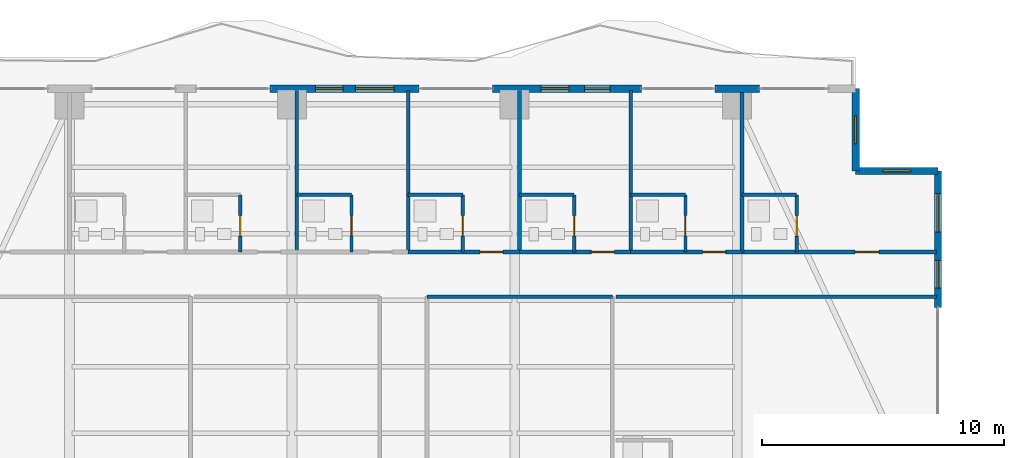
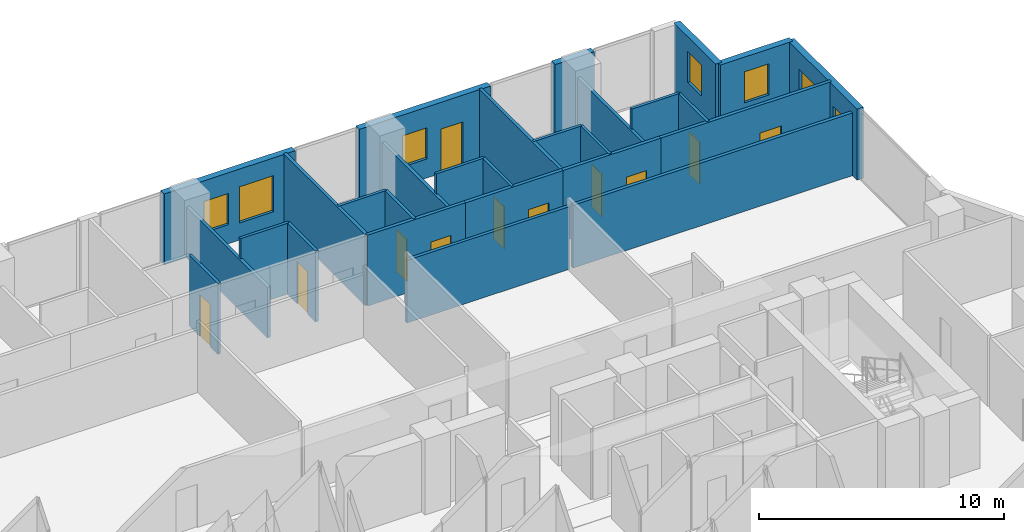
# One storey, part 28 of 33: 28 walls, 11 doors, 7 windows, 18 openings.
"""IFC4 building model written with IfcOpenShell, lengths in metres."""

from ifc_helpers import new_model, si_unit, direction, frame, frame_2d, origin, place, context, subcontext, project, spatial, rectangle, extrude, material, layer, layer_set, type_object, element, fill, save


model = new_model("IFC4")

# Units and contexts
model_context = context("Model", 3, precision=1e-05, world=origin(), true_north=direction((0.0, 1.0)))
body_context = subcontext(model_context, "Body", "Model", "MODEL_VIEW")
ifc_project = project(units=[si_unit("LENGTHUNIT", "METRE"), si_unit("AREAUNIT", "SQUARE_METRE"), si_unit("VOLUMEUNIT", "CUBIC_METRE"), si_unit("PLANEANGLEUNIT", "RADIAN"), si_unit("MASSUNIT", "GRAM", prefix="KILO")], contexts=[model_context])

# Site, building, storey
site_placement = place(None, origin())
site = spatial("IfcSite", under=ifc_project, at=site_placement, CompositionType="ELEMENT")
building_placement = place(site_placement, origin())
building = spatial("IfcBuilding", under=site, at=building_placement, Name="Zuhayl Quay Hotel", CompositionType="ELEMENT")
storey_placement = place(building_placement, frame((0.0, 0.0, 222.39990234375)))
storey = spatial("IfcBuildingStorey", under=building, at=storey_placement, Name="L56", CompositionType="ELEMENT", Elevation=222.39990234375)

# Wall, openings, windows
ifc_material_1 = material(Name="Precast concrete C45/55", Category="concrete")
ifc_layer_1 = layer(ifc_material_1, 0.300048828125, Name="Precast concrete C45/55", Category="concrete")
ifc_layer_set_1 = layer_set([ifc_layer_1], Name="Precast concrete C45/55")
wall_type_1 = type_object("IfcWallType", Name="WL_EXT_300", PredefinedType="STANDARD", material=ifc_layer_set_1)
wall_1_placement = place(storey_placement, frame((-5.52001953125, 33.60009765625, 0.0), z_axis=(0.0, 0.0, 1.0), x_axis=(1.0, 0.0, 0.0)))
wall_1 = element("IfcWall", 1, at=wall_1_placement, inside=storey, type_object=wall_type_1, Name="L56 Exterior Precast Wall ENV_L56_N_EW4", PredefinedType="STANDARD", context=body_context, shape_type="SweptSolid", body=[
    extrude(rectangle(XDim=6.169921875, YDim=0.300048828125, at=frame_2d((3.0849609375, 0.0))), origin(), (0.0, 0.0, 1.0), 3.530029296875),
])
opening_1_placement = place(wall_1_placement, frame((3.5400390625, 0.0, 0.85009765625)))
opening_1 = element("IfcOpeningElement", 2, at=opening_1_placement, cuts=wall_1, Name="Opening W01", PredefinedType="OPENING", context=body_context, shape_type="SweptSolid", body=[
    extrude(rectangle(XDim=1.60009765625, YDim=1.800048828125, at=frame_2d((0.800048828125, 0.89990234375))), frame((0.0, 0.159912109375, 0.0), z_axis=(0.0, -1.0, 0.0), x_axis=(1.0, 0.0, 0.0)), (0.0, 0.0, 1.0), 0.320068359375),
])
opening_2_placement = place(wall_1_placement, frame((1.8798828125, 0.0, 0.949951171875)))
opening_2 = element("IfcOpeningElement", 3, at=opening_2_placement, cuts=wall_1, Name="Opening W01N", PredefinedType="OPENING", context=body_context, shape_type="SweptSolid", body=[
    extrude(rectangle(XDim=1.14990234375, YDim=1.550048828125, at=frame_2d((0.574951171875, 0.77490234375))), frame((0.0, 0.159912109375, 0.0), z_axis=(0.0, -1.0, 0.0), x_axis=(1.0, 0.0, 0.0)), (0.0, 0.0, 1.0), 0.320068359375),
])
ifc_material_2 = material(Name="Dark Ceramic-Fritted Solar Glass", Category="glass")
window_type_1 = type_object("IfcWindowType", Name="WN_NOTCH_1350", PartitioningType="SINGLE_PANEL", PredefinedType="WINDOW", material=ifc_material_2)
window_1_placement = place(opening_2_placement, origin())
window_1 = element("IfcWindow", 4, at=window_1_placement, inside=storey, type_object=window_type_1, Name="L56 Operable Facade Window 4-1", OverallHeight=1.550048828125, OverallWidth=1.14990234375, PartitioningType="SINGLE_PANEL", PredefinedType="WINDOW", context=body_context, shape_type="SweptSolid", body=[
    extrude(rectangle(XDim=1.14990234375, YDim=1.550048828125, at=frame_2d((0.574951171875, 0.77490234375))), frame((0.0, 0.030029296875, 0.0), z_axis=(0.0, -1.0, 0.0), x_axis=(1.0, 0.0, 0.0)), (0.0, 0.0, 1.0), 0.06005859375),
])
fill(opening_2, window_1)
window_type_2 = type_object("IfcWindowType", Name="WN_OPERABLE_1600", PartitioningType="DOUBLE_PANEL_VERTICAL", PredefinedType="WINDOW", material=ifc_material_2)
window_2_placement = place(opening_1_placement, origin())
window_2 = element("IfcWindow", 5, at=window_2_placement, inside=storey, type_object=window_type_2, Name="L56 North Operable Casement Window", OverallHeight=1.800048828125, OverallWidth=1.60009765625, PartitioningType="SINGLE_PANEL", PredefinedType="WINDOW", context=body_context, shape_type="SweptSolid", body=[
    extrude(rectangle(XDim=1.60009765625, YDim=1.800048828125, at=frame_2d((0.800048828125, 0.89990234375))), frame((0.0, 0.030029296875, 0.0), z_axis=(0.0, -1.0, 0.0), x_axis=(1.0, 0.0, 0.0)), (0.0, 0.0, 1.0), 0.06005859375),
])
fill(opening_1, window_2)

# Wall, openings, door, window
wall_2_placement = place(storey_placement, frame((3.679931640625, 33.60009765625, 0.0), z_axis=(0.0, 0.0, 1.0), x_axis=(1.0, 0.0, 0.0)))
wall_2 = element("IfcWall", 6, at=wall_2_placement, inside=storey, type_object=wall_type_1, Name="L56 Exterior Precast Wall ENV_L56_N_EW5", PredefinedType="STANDARD", context=body_context, shape_type="SweptSolid", body=[
    extrude(rectangle(XDim=6.170166015625, YDim=0.300048828125, at=frame_2d((3.0849609375, 0.0))), origin(), (0.0, 0.0, 1.0), 3.530029296875),
])
opening_3_placement = place(wall_2_placement, frame((3.81494140625, 0.0, 0.0)))
opening_3 = element("IfcOpeningElement", 7, at=opening_3_placement, cuts=wall_2, Name="Opening DG1", PredefinedType="OPENING", context=body_context, shape_type="SweptSolid", body=[
    extrude(rectangle(XDim=1.050048828125, YDim=2.199951171875, at=frame_2d((0.52490234375, 1.10009765625))), frame((0.0, 0.159912109375, 0.0), z_axis=(0.0, -1.0, 0.0), x_axis=(1.0, 0.0, 0.0)), (0.0, 0.0, 1.0), 0.320068359375),
])
opening_4_placement = place(wall_2_placement, frame((2.017578125, 0.0, 0.949951171875)))
opening_4 = element("IfcOpeningElement", 8, at=opening_4_placement, cuts=wall_2, Name="Opening W01N", PredefinedType="OPENING", context=body_context, shape_type="SweptSolid", body=[
    extrude(rectangle(XDim=1.14990234375, YDim=1.550048828125, at=frame_2d((0.574951171875, 0.77490234375))), frame((0.0, 0.159912109375, 0.0), z_axis=(0.0, -1.0, 0.0), x_axis=(1.0, 0.0, 0.0)), (0.0, 0.0, 1.0), 0.320068359375),
])
ifc_material_3 = material(Name="Anodised Aluminium and Dark Solar Glass", Category="aluminium")
door_type_1 = type_object("IfcDoorType", Name="DR_EXT_TERR_1050", OperationType="NOTDEFINED", PredefinedType="DOOR", material=ifc_material_3)
door_1_placement = place(opening_3_placement, origin())
door_1 = element("IfcDoor", 9, at=door_1_placement, inside=storey, type_object=door_type_1, Name="L56 North Rippling Balcony Door", OperationType="SINGLE_SWING_LEFT", OverallHeight=2.199951171875, OverallWidth=1.050048828125, PredefinedType="DOOR", context=body_context, shape_type="SweptSolid", body=[
    extrude(rectangle(XDim=1.050048828125, YDim=2.199951171875, at=frame_2d((0.52490234375, 1.10009765625))), frame((0.0, 0.02490234375, 0.0), z_axis=(0.0, -1.0, 0.0), x_axis=(1.0, 0.0, 0.0)), (0.0, 0.0, 1.0), 0.050048828125),
])
fill(opening_3, door_1)
window_3_placement = place(opening_4_placement, origin())
window_3 = element("IfcWindow", 10, at=window_3_placement, inside=storey, type_object=window_type_1, Name="L56 Operable Facade Window 5-1", OverallHeight=1.550048828125, OverallWidth=1.14990234375, PartitioningType="SINGLE_PANEL", PredefinedType="WINDOW", context=body_context, shape_type="SweptSolid", body=[
    extrude(rectangle(XDim=1.14990234375, YDim=1.550048828125, at=frame_2d((0.574951171875, 0.77490234375))), frame((0.0, 0.030029296875, 0.0), z_axis=(0.0, -1.0, 0.0), x_axis=(1.0, 0.0, 0.0)), (0.0, 0.0, 1.0), 0.06005859375),
])
fill(opening_4, window_3)

# Wall
wall_3_placement = place(storey_placement, frame((12.8798828125, 33.60009765625, 0.0), z_axis=(0.0, 0.0, 1.0), x_axis=(1.0, 0.0, 0.0)))
element("IfcWall", 11, at=wall_3_placement, inside=storey, type_object=wall_type_1, Name="L56 Exterior Precast Wall ENV_L56_N_EW6", PredefinedType="STANDARD", context=body_context, shape_type="SweptSolid", body=[
    extrude(rectangle(XDim=1.840087890625, YDim=0.300048828125, at=frame_2d((0.919921875, 0.0))), origin(), (0.0, 0.0, 1.0), 3.530029296875),
])

# Wall, opening, window
wall_4_placement = place(storey_placement, frame((18.699951171875, 33.60009765625, 0.0), z_axis=(0.0, 0.0, 1.0), x_axis=(0.0, -1.0, 0.0)))
wall_4 = element("IfcWall", 12, at=wall_4_placement, inside=storey, type_object=wall_type_1, Name="L56 Exterior Precast Wall ENV_L56_EW09", PredefinedType="STANDARD", context=body_context, shape_type="SweptSolid", body=[
    extrude(rectangle(XDim=3.400146484375, YDim=0.300048828125, at=frame_2d((1.7001953125, 0.0))), origin(), (0.0, 0.0, 1.0), 3.530029296875),
])
opening_5_placement = place(wall_4_placement, frame((1.125, 0.0, 1.25)))
opening_5 = element("IfcOpeningElement", 13, at=opening_5_placement, cuts=wall_4, Name="Opening W01N", PredefinedType="OPENING", context=body_context, shape_type="SweptSolid", body=[
    extrude(rectangle(XDim=1.14990234375, YDim=1.550048828125, at=frame_2d((0.574951171875, 0.77490234375))), frame((0.0, 0.159912109375, 0.0), z_axis=(0.0, -1.0, 0.0), x_axis=(1.0, 0.0, 0.0)), (0.0, 0.0, 1.0), 0.320068359375),
])
window_4_placement = place(opening_5_placement, origin())
window_4 = element("IfcWindow", 14, at=window_4_placement, inside=storey, type_object=window_type_1, Name="L56 Corner Notch Window 9", OverallHeight=1.550048828125, OverallWidth=1.14990234375, PartitioningType="SINGLE_PANEL", PredefinedType="WINDOW", context=body_context, shape_type="SweptSolid", body=[
    extrude(rectangle(XDim=1.14990234375, YDim=1.550048828125, at=frame_2d((0.574951171875, 0.77490234375))), frame((0.0, 0.030029296875, 0.0), z_axis=(0.0, -1.0, 0.0), x_axis=(1.0, 0.0, 0.0)), (0.0, 0.0, 1.0), 0.06005859375),
])
fill(opening_5, window_4)

wall_5_placement = place(storey_placement, frame((18.699951171875, 30.199951171875, 0.0), z_axis=(0.0, 0.0, 1.0), x_axis=(1.0, 0.0, 0.0)))
wall_5 = element("IfcWall", 15, at=wall_5_placement, inside=storey, type_object=wall_type_1, Name="L56 Exterior Precast Wall ENV_L56_EW10", PredefinedType="STANDARD", context=body_context, shape_type="SweptSolid", body=[
    extrude(rectangle(XDim=3.400146484375, YDim=0.300048828125, at=frame_2d((1.7001953125, 0.0))), origin(), (0.0, 0.0, 1.0), 3.530029296875),
])
opening_6_placement = place(wall_5_placement, frame((1.125, 0.0, 1.25)))
opening_6 = element("IfcOpeningElement", 16, at=opening_6_placement, cuts=wall_5, Name="Opening W01N", PredefinedType="OPENING", context=body_context, shape_type="SweptSolid", body=[
    extrude(rectangle(XDim=1.14990234375, YDim=1.550048828125, at=frame_2d((0.574951171875, 0.77490234375))), frame((0.0, 0.159912109375, 0.0), z_axis=(0.0, -1.0, 0.0), x_axis=(1.0, 0.0, 0.0)), (0.0, 0.0, 1.0), 0.320068359375),
])
window_5_placement = place(opening_6_placement, origin())
window_5 = element("IfcWindow", 17, at=window_5_placement, inside=storey, type_object=window_type_1, Name="L56 Corner Notch Window 10", OverallHeight=1.550048828125, OverallWidth=1.14990234375, PartitioningType="SINGLE_PANEL", PredefinedType="WINDOW", context=body_context, shape_type="SweptSolid", body=[
    extrude(rectangle(XDim=1.14990234375, YDim=1.550048828125, at=frame_2d((0.574951171875, 0.77490234375))), frame((0.0, 0.030029296875, 0.0), z_axis=(0.0, -1.0, 0.0), x_axis=(1.0, 0.0, 0.0)), (0.0, 0.0, 1.0), 0.06005859375),
])
fill(opening_6, window_5)

# Wall, openings, windows
wall_6_placement = place(storey_placement, frame((22.10009765625, 30.199951171875, 0.0), z_axis=(0.0, 0.0, 1.0), x_axis=(0.0, -1.0, 0.0)))
wall_6 = element("IfcWall", 18, at=wall_6_placement, inside=storey, type_object=wall_type_1, Name="L56 Exterior Precast Wall ENV_L56_E11_EW1", PredefinedType="STANDARD", context=body_context, shape_type="SweptSolid", body=[
    extrude(rectangle(XDim=5.64990234375, YDim=0.300048828125, at=frame_2d((2.824951171875, 0.0))), origin(), (0.0, 0.0, 1.0), 3.530029296875),
])
opening_7_placement = place(wall_6_placement, frame((0.93505859375, 0.0, 0.85009765625)))
opening_7 = element("IfcOpeningElement", 19, at=opening_7_placement, cuts=wall_6, Name="Opening W01", PredefinedType="OPENING", context=body_context, shape_type="SweptSolid", body=[
    extrude(rectangle(XDim=1.60009765625, YDim=1.800048828125, at=frame_2d((0.800048828125, 0.89990234375))), frame((0.0, 0.159912109375, 0.0), z_axis=(0.0, -1.0, 0.0), x_axis=(1.0, 0.0, 0.0)), (0.0, 0.0, 1.0), 0.320068359375),
])
opening_8_placement = place(wall_6_placement, frame((3.699951171875, 0.0, 0.949951171875)))
opening_8 = element("IfcOpeningElement", 20, at=opening_8_placement, cuts=wall_6, Name="Opening W01N", PredefinedType="OPENING", context=body_context, shape_type="SweptSolid", body=[
    extrude(rectangle(XDim=1.14990234375, YDim=1.550048828125, at=frame_2d((0.574951171875, 0.77490234375))), frame((0.0, 0.159912109375, 0.0), z_axis=(0.0, -1.0, 0.0), x_axis=(1.0, 0.0, 0.0)), (0.0, 0.0, 1.0), 0.320068359375),
])
window_6_placement = place(opening_8_placement, origin())
window_6 = element("IfcWindow", 21, at=window_6_placement, inside=storey, type_object=window_type_1, Name="L56 Operable Facade Window 1-2", OverallHeight=1.550048828125, OverallWidth=1.14990234375, PartitioningType="SINGLE_PANEL", PredefinedType="WINDOW", context=body_context, shape_type="SweptSolid", body=[
    extrude(rectangle(XDim=1.14990234375, YDim=1.550048828125, at=frame_2d((0.574951171875, 0.77490234375))), frame((0.0, 0.030029296875, 0.0), z_axis=(0.0, -1.0, 0.0), x_axis=(1.0, 0.0, 0.0)), (0.0, 0.0, 1.0), 0.06005859375),
])
fill(opening_8, window_6)
window_7_placement = place(opening_7_placement, origin())
window_7 = element("IfcWindow", 22, at=window_7_placement, inside=storey, type_object=window_type_2, Name="L56 Operable Facade Window 1-1", OverallHeight=1.800048828125, OverallWidth=1.60009765625, PartitioningType="SINGLE_PANEL", PredefinedType="WINDOW", context=body_context, shape_type="SweptSolid", body=[
    extrude(rectangle(XDim=1.60009765625, YDim=1.800048828125, at=frame_2d((0.800048828125, 0.89990234375))), frame((0.0, 0.030029296875, 0.0), z_axis=(0.0, -1.0, 0.0), x_axis=(1.0, 0.0, 0.0)), (0.0, 0.0, 1.0), 0.06005859375),
])
fill(opening_7, window_7)

# Walls
ifc_material_4 = material(Name="Acoustic Gypsum Partition STC-58")
ifc_layer_2 = layer(ifc_material_4, 0.14990234375, Name="Acoustic Gypsum Partition STC-58")
ifc_layer_set_2 = layer_set([ifc_layer_2], Name="Acoustic Gypsum Partition STC-58")
wall_type_2 = type_object("IfcWallType", Name="WL_PART_150", PredefinedType="PARTITIONING", material=ifc_layer_set_2)
wall_7_placement = place(storey_placement, frame((-4.39990234375, 26.85009765625, 0.0), z_axis=(0.0, 0.0, 1.0), x_axis=(0.0, 1.0, 0.0)))
element("IfcWall", 23, at=wall_7_placement, inside=storey, type_object=wall_type_2, Name="L56 Partition IW_L56_NU03_E", PredefinedType="PARTITIONING", context=body_context, shape_type="SweptSolid", body=[
    extrude(rectangle(XDim=6.669921875, YDim=0.14990234375, at=frame_2d((3.3349609375, 0.0))), origin(), (0.0, 0.0, 1.0), 2.51904296875),
])
wall_8_placement = place(storey_placement, frame((0.199951171875, 26.85009765625, 0.0), z_axis=(0.0, 0.0, 1.0), x_axis=(0.0, 1.0, 0.0)))
element("IfcWall", 24, at=wall_8_placement, inside=storey, type_object=wall_type_2, Name="L56 Partition IW_L56_NU04_E", PredefinedType="PARTITIONING", context=body_context, shape_type="SweptSolid", body=[
    extrude(rectangle(XDim=6.669921875, YDim=0.14990234375, at=frame_2d((3.3349609375, 0.0))), origin(), (0.0, 0.0, 1.0), 3.530029296875),
])
wall_9_placement = place(storey_placement, frame((4.800048828125, 26.85009765625, 0.0), z_axis=(0.0, 0.0, 1.0), x_axis=(0.0, 1.0, 0.0)))
element("IfcWall", 25, at=wall_9_placement, inside=storey, type_object=wall_type_2, Name="L56 Partition IW_L56_NU05_E", PredefinedType="PARTITIONING", context=body_context, shape_type="SweptSolid", body=[
    extrude(rectangle(XDim=6.669921875, YDim=0.14990234375, at=frame_2d((3.3349609375, 0.0))), origin(), (0.0, 0.0, 1.0), 2.51904296875),
])
wall_10_placement = place(storey_placement, frame((9.39990234375, 26.85009765625, 0.0), z_axis=(0.0, 0.0, 1.0), x_axis=(0.0, 1.0, 0.0)))
element("IfcWall", 26, at=wall_10_placement, inside=storey, type_object=wall_type_2, Name="L56 Partition IW_L56_NU06_E", PredefinedType="PARTITIONING", context=body_context, shape_type="SweptSolid", body=[
    extrude(rectangle(XDim=6.669921875, YDim=0.14990234375, at=frame_2d((3.3349609375, 0.0))), origin(), (0.0, 0.0, 1.0), 3.530029296875),
])
wall_11_placement = place(storey_placement, frame((14.0, 26.85009765625, 0.0), z_axis=(0.0, 0.0, 1.0), x_axis=(0.0, 1.0, 0.0)))
element("IfcWall", 27, at=wall_11_placement, inside=storey, type_object=wall_type_2, Name="L56 Partition IW_L56_NU07_E", PredefinedType="PARTITIONING", context=body_context, shape_type="SweptSolid", body=[
    extrude(rectangle(XDim=6.669921875, YDim=0.14990234375, at=frame_2d((3.3349609375, 0.0))), origin(), (0.0, 0.0, 1.0), 2.51904296875),
])
wall_12_placement = place(storey_placement, frame((0.97998046875, 25.0, 0.0), z_axis=(0.0, 0.0, 1.0), x_axis=(1.0, 0.0, 0.0)))
element("IfcWall", 28, at=wall_12_placement, inside=storey, type_object=wall_type_2, Name="L56 Partition IW_L56_Z3_MID_E_N", PredefinedType="PARTITIONING", context=body_context, shape_type="SweptSolid", body=[
    extrude(rectangle(XDim=7.659912109375, YDim=0.14990234375, at=frame_2d((3.830078125, 0.0))), origin(), (0.0, 0.0, 1.0), 3.1240234375),
])

# Wall, opening, door
ifc_layer_3 = layer(ifc_material_4, 0.159912109375, Name="Acoustic Gypsum Partition STC-58")
ifc_layer_set_3 = layer_set([ifc_layer_3], Name="Acoustic Gypsum Partition STC-58")
wall_type_3 = type_object("IfcWallType", Name="WL_PART_CORR_160", PredefinedType="PARTITIONING", material=ifc_layer_set_3)
wall_13_placement = place(storey_placement, frame((0.199951171875, 26.85009765625, 0.0), z_axis=(0.0, 0.0, 1.0), x_axis=(1.0, 0.0, 0.0)))
wall_13 = element("IfcWall", 29, at=wall_13_placement, inside=storey, type_object=wall_type_3, Name="L56 Partition IW_L56_NU05_COR", PredefinedType="PARTITIONING", context=body_context, shape_type="SweptSolid", body=[
    extrude(rectangle(XDim=4.60009765625, YDim=0.159912109375, at=frame_2d((2.300048828125, 0.0))), origin(), (0.0, 0.0, 1.0), 3.530029296875),
])
opening_9_placement = place(wall_13_placement, frame((2.97509765625, 0.0, 0.0)))
opening_9 = element("IfcOpeningElement", 30, at=opening_9_placement, cuts=wall_13, Name="Opening D03", PredefinedType="OPENING", context=body_context, shape_type="SweptSolid", body=[
    extrude(rectangle(XDim=0.949951171875, YDim=2.14990234375, at=frame_2d((0.47509765625, 1.074951171875))), frame((0.0, 0.08984375, 0.0), z_axis=(0.0, -1.0, 0.0), x_axis=(1.0, 0.0, 0.0)), (0.0, 0.0, 1.0), 0.179931640625),
])
ifc_material_5 = material(Name="Solid Walnut Acoustic Fire Door")
door_type_2 = type_object("IfcDoorType", Name="DR_SUITE_950", OperationType="NOTDEFINED", PredefinedType="DOOR", material=ifc_material_5)
door_2_placement = place(opening_9_placement, origin())
door_2 = element("IfcDoor", 31, at=door_2_placement, inside=storey, type_object=door_type_2, Name="L56 Panoramic Gulf Guest Room L56-05 Entrance Door", OperationType="SINGLE_SWING_LEFT", OverallHeight=2.14990234375, OverallWidth=0.949951171875, PredefinedType="DOOR", context=body_context, shape_type="SweptSolid", body=[
    extrude(rectangle(XDim=0.949951171875, YDim=2.14990234375, at=frame_2d((0.47509765625, 1.074951171875))), frame((0.0, 0.02490234375, 0.0), z_axis=(0.0, -1.0, 0.0), x_axis=(1.0, 0.0, 0.0)), (0.0, 0.0, 1.0), 0.050048828125),
])
fill(opening_9, door_2)

wall_14_placement = place(storey_placement, frame((4.800048828125, 26.85009765625, 0.0), z_axis=(0.0, 0.0, 1.0), x_axis=(1.0, 0.0, 0.0)))
wall_14 = element("IfcWall", 32, at=wall_14_placement, inside=storey, type_object=wall_type_3, Name="L56 Partition IW_L56_NU06_COR", PredefinedType="PARTITIONING", context=body_context, shape_type="SweptSolid", body=[
    extrude(rectangle(XDim=4.599853515625, YDim=0.159912109375, at=frame_2d((2.2998046875, 0.0))), origin(), (0.0, 0.0, 1.0), 3.530029296875),
])
opening_10_placement = place(wall_14_placement, frame((2.97509765625, 0.0, 0.0)))
opening_10 = element("IfcOpeningElement", 33, at=opening_10_placement, cuts=wall_14, Name="Opening D03", PredefinedType="OPENING", context=body_context, shape_type="SweptSolid", body=[
    extrude(rectangle(XDim=0.949951171875, YDim=2.14990234375, at=frame_2d((0.47509765625, 1.074951171875))), frame((0.0, 0.08984375, 0.0), z_axis=(0.0, -1.0, 0.0), x_axis=(1.0, 0.0, 0.0)), (0.0, 0.0, 1.0), 0.179931640625),
])
door_3_placement = place(opening_10_placement, origin())
door_3 = element("IfcDoor", 34, at=door_3_placement, inside=storey, type_object=door_type_2, Name="L56 Panoramic Gulf Guest Room L56-06 Entrance Door", OperationType="SINGLE_SWING_LEFT", OverallHeight=2.14990234375, OverallWidth=0.949951171875, PredefinedType="DOOR", context=body_context, shape_type="SweptSolid", body=[
    extrude(rectangle(XDim=0.949951171875, YDim=2.14990234375, at=frame_2d((0.47509765625, 1.074951171875))), frame((0.0, 0.02490234375, 0.0), z_axis=(0.0, -1.0, 0.0), x_axis=(1.0, 0.0, 0.0)), (0.0, 0.0, 1.0), 0.050048828125),
])
fill(opening_10, door_3)

wall_15_placement = place(storey_placement, frame((9.39990234375, 26.85009765625, 0.0), z_axis=(0.0, 0.0, 1.0), x_axis=(1.0, 0.0, 0.0)))
wall_15 = element("IfcWall", 35, at=wall_15_placement, inside=storey, type_object=wall_type_3, Name="L56 Partition IW_L56_NU07_COR", PredefinedType="PARTITIONING", context=body_context, shape_type="SweptSolid", body=[
    extrude(rectangle(XDim=4.60009765625, YDim=0.159912109375, at=frame_2d((2.300048828125, 0.0))), origin(), (0.0, 0.0, 1.0), 3.530029296875),
])
opening_11_placement = place(wall_15_placement, frame((2.97509765625, 0.0, 0.0)))
opening_11 = element("IfcOpeningElement", 36, at=opening_11_placement, cuts=wall_15, Name="Opening D03", PredefinedType="OPENING", context=body_context, shape_type="SweptSolid", body=[
    extrude(rectangle(XDim=0.949951171875, YDim=2.14990234375, at=frame_2d((0.47509765625, 1.074951171875))), frame((0.0, 0.08984375, 0.0), z_axis=(0.0, -1.0, 0.0), x_axis=(1.0, 0.0, 0.0)), (0.0, 0.0, 1.0), 0.179931640625),
])
door_4_placement = place(opening_11_placement, origin())
door_4 = element("IfcDoor", 37, at=door_4_placement, inside=storey, type_object=door_type_2, Name="L56 Panoramic Gulf Guest Room L56-07 Entrance Door", OperationType="SINGLE_SWING_LEFT", OverallHeight=2.14990234375, OverallWidth=0.949951171875, PredefinedType="DOOR", context=body_context, shape_type="SweptSolid", body=[
    extrude(rectangle(XDim=0.949951171875, YDim=2.14990234375, at=frame_2d((0.47509765625, 1.074951171875))), frame((0.0, 0.02490234375, 0.0), z_axis=(0.0, -1.0, 0.0), x_axis=(1.0, 0.0, 0.0)), (0.0, 0.0, 1.0), 0.050048828125),
])
fill(opening_11, door_4)

wall_16_placement = place(storey_placement, frame((14.0, 26.85009765625, 0.0), z_axis=(0.0, 0.0, 1.0), x_axis=(1.0, 0.0, 0.0)))
wall_16 = element("IfcWall", 38, at=wall_16_placement, inside=storey, type_object=wall_type_3, Name="L56 Partition IW_L56_NU08_COR", PredefinedType="PARTITIONING", context=body_context, shape_type="SweptSolid", body=[
    extrude(rectangle(XDim=8.0400390625, YDim=0.159912109375, at=frame_2d((4.02001953125, 0.0))), origin(), (0.0, 0.0, 1.0), 3.530029296875),
])
opening_12_placement = place(wall_16_placement, frame((4.669921875, 0.0, 0.0)))
opening_12 = element("IfcOpeningElement", 39, at=opening_12_placement, cuts=wall_16, Name="Opening D03L", PredefinedType="OPENING", context=body_context, shape_type="SweptSolid", body=[
    extrude(rectangle(XDim=1.0, YDim=2.14990234375, at=frame_2d((0.5, 1.074951171875))), frame((0.0, 0.08984375, 0.0), z_axis=(0.0, -1.0, 0.0), x_axis=(1.0, 0.0, 0.0)), (0.0, 0.0, 1.0), 0.179931640625),
])
door_type_3 = type_object("IfcDoorType", Name="DR_SUITE_1000", OperationType="NOTDEFINED", PredefinedType="DOOR", material=ifc_material_5)
door_5_placement = place(opening_12_placement, origin())
door_5 = element("IfcDoor", 40, at=door_5_placement, inside=storey, type_object=door_type_3, Name="L56 Panoramic Gulf Guest Room L56-08 Entrance Door", OperationType="SINGLE_SWING_LEFT", OverallHeight=2.14990234375, OverallWidth=1.0, PredefinedType="DOOR", context=body_context, shape_type="SweptSolid", body=[
    extrude(rectangle(XDim=1.0, YDim=2.14990234375, at=frame_2d((0.5, 1.074951171875))), frame((0.0, 0.02490234375, 0.0), z_axis=(0.0, -1.0, 0.0), x_axis=(1.0, 0.0, 0.0)), (0.0, 0.0, 1.0), 0.050048828125),
])
fill(opening_12, door_5)

# Wall
wall_17_placement = place(storey_placement, frame((8.800048828125, 25.0, 0.0), z_axis=(0.0, 0.0, 1.0), x_axis=(1.0, 0.0, 0.0)))
element("IfcWall", 41, at=wall_17_placement, inside=storey, type_object=wall_type_3, Name="L56 Partition IW_L56_MU04_BK", PredefinedType="PARTITIONING", context=body_context, shape_type="SweptSolid", body=[
    extrude(rectangle(XDim=13.239990234375, YDim=0.159912109375, at=frame_2d((6.6201171875, 0.0))), origin(), (0.0, 0.0, 1.0), 3.1240234375),
])

# Wall, opening, door
ifc_material_6 = material(Name="Moisture-Resistant Sanitarychase Gypsum")
ifc_layer_4 = layer(ifc_material_6, 0.135009765625, Name="Moisture-Resistant Sanitarychase Gypsum")
ifc_layer_set_4 = layer_set([ifc_layer_4], Name="Moisture-Resistant Sanitarychase Gypsum")
wall_type_4 = type_object("IfcWallType", Name="WL_PART_PLUMB_150", PredefinedType="PLUMBINGWALL", material=ifc_layer_set_4)
wall_18_placement = place(storey_placement, frame((-6.739990234375, 26.85009765625, 0.0), z_axis=(0.0, 0.0, 1.0), x_axis=(0.0, 1.0, 0.0)))
wall_18 = element("IfcWall", 42, at=wall_18_placement, inside=storey, type_object=wall_type_4, Name="L56 Partition IW_L56_NU03_BE", PredefinedType="PLUMBINGWALL", context=body_context, shape_type="SweptSolid", body=[
    extrude(rectangle(XDim=2.35986328125, YDim=0.135009765625, at=frame_2d((1.179931640625, 0.0))), origin(), (0.0, 0.0, 1.0), 3.530029296875),
])
opening_13_placement = place(wall_18_placement, frame((0.64990234375, 0.0, 0.0)))
opening_13 = element("IfcOpeningElement", 43, at=opening_13_placement, cuts=wall_18, Name="Opening D04", PredefinedType="OPENING", context=body_context, shape_type="SweptSolid", body=[
    extrude(rectangle(XDim=0.85009765625, YDim=2.10009765625, at=frame_2d((0.425048828125, 1.050048828125))), frame((0.0, 0.077392578125, 0.0), z_axis=(0.0, -1.0, 0.0), x_axis=(1.0, 0.0, 0.0)), (0.0, 0.0, 1.0), 0.155029296875),
])
ifc_material_7 = material(Name="Moisture-Resistant Walnut Veneer")
door_type_4 = type_object("IfcDoorType", Name="DR_BATH_850", OperationType="NOTDEFINED", PredefinedType="DOOR", material=ifc_material_7)
door_6_placement = place(opening_13_placement, origin())
door_6 = element("IfcDoor", 44, at=door_6_placement, inside=storey, type_object=door_type_4, Name="L56 Panoramic Gulf Guest Room L56-03 En-Suite Door", OperationType="SINGLE_SWING_RIGHT", OverallHeight=2.10009765625, OverallWidth=0.85009765625, PredefinedType="DOOR", context=body_context, shape_type="SweptSolid", body=[
    extrude(rectangle(XDim=0.85009765625, YDim=2.10009765625, at=frame_2d((0.425048828125, 1.050048828125))), frame((0.0, 0.02490234375, 0.0), z_axis=(0.0, -1.0, 0.0), x_axis=(1.0, 0.0, 0.0)), (0.0, 0.0, 1.0), 0.050048828125),
])
fill(opening_13, door_6)

wall_19_placement = place(storey_placement, frame((-2.139892578125, 26.85009765625, 0.0), z_axis=(0.0, 0.0, 1.0), x_axis=(0.0, 1.0, 0.0)))
wall_19 = element("IfcWall", 45, at=wall_19_placement, inside=storey, type_object=wall_type_4, Name="L56 Partition IW_L56_NU04_BE", PredefinedType="PLUMBINGWALL", context=body_context, shape_type="SweptSolid", body=[
    extrude(rectangle(XDim=2.35986328125, YDim=0.135009765625, at=frame_2d((1.179931640625, 0.0))), origin(), (0.0, 0.0, 1.0), 3.530029296875),
])
opening_14_placement = place(wall_19_placement, frame((0.64990234375, 0.0, 0.0)))
opening_14 = element("IfcOpeningElement", 46, at=opening_14_placement, cuts=wall_19, Name="Opening D04", PredefinedType="OPENING", context=body_context, shape_type="SweptSolid", body=[
    extrude(rectangle(XDim=0.85009765625, YDim=2.10009765625, at=frame_2d((0.425048828125, 1.050048828125))), frame((0.0, 0.077392578125, 0.0), z_axis=(0.0, -1.0, 0.0), x_axis=(1.0, 0.0, 0.0)), (0.0, 0.0, 1.0), 0.155029296875),
])
door_7_placement = place(opening_14_placement, origin())
door_7 = element("IfcDoor", 47, at=door_7_placement, inside=storey, type_object=door_type_4, Name="L56 Panoramic Gulf Guest Room L56-04 En-Suite Door", OperationType="SINGLE_SWING_RIGHT", OverallHeight=2.10009765625, OverallWidth=0.85009765625, PredefinedType="DOOR", context=body_context, shape_type="SweptSolid", body=[
    extrude(rectangle(XDim=0.85009765625, YDim=2.10009765625, at=frame_2d((0.425048828125, 1.050048828125))), frame((0.0, 0.02490234375, 0.0), z_axis=(0.0, -1.0, 0.0), x_axis=(1.0, 0.0, 0.0)), (0.0, 0.0, 1.0), 0.050048828125),
])
fill(opening_14, door_7)

wall_20_placement = place(storey_placement, frame((2.4599609375, 26.85009765625, 0.0), z_axis=(0.0, 0.0, 1.0), x_axis=(0.0, 1.0, 0.0)))
wall_20 = element("IfcWall", 48, at=wall_20_placement, inside=storey, type_object=wall_type_4, Name="L56 Partition IW_L56_NU05_BE", PredefinedType="PLUMBINGWALL", context=body_context, shape_type="SweptSolid", body=[
    extrude(rectangle(XDim=2.35986328125, YDim=0.135009765625, at=frame_2d((1.179931640625, 0.0))), origin(), (0.0, 0.0, 1.0), 3.530029296875),
])
opening_15_placement = place(wall_20_placement, frame((0.64990234375, 0.0, 0.0)))
opening_15 = element("IfcOpeningElement", 49, at=opening_15_placement, cuts=wall_20, Name="Opening D04", PredefinedType="OPENING", context=body_context, shape_type="SweptSolid", body=[
    extrude(rectangle(XDim=0.85009765625, YDim=2.10009765625, at=frame_2d((0.425048828125, 1.050048828125))), frame((0.0, 0.077392578125, 0.0), z_axis=(0.0, -1.0, 0.0), x_axis=(1.0, 0.0, 0.0)), (0.0, 0.0, 1.0), 0.155029296875),
])
door_8_placement = place(opening_15_placement, origin())
door_8 = element("IfcDoor", 50, at=door_8_placement, inside=storey, type_object=door_type_4, Name="L56 Panoramic Gulf Guest Room L56-05 En-Suite Door", OperationType="SINGLE_SWING_RIGHT", OverallHeight=2.10009765625, OverallWidth=0.85009765625, PredefinedType="DOOR", context=body_context, shape_type="SweptSolid", body=[
    extrude(rectangle(XDim=0.85009765625, YDim=2.10009765625, at=frame_2d((0.425048828125, 1.050048828125))), frame((0.0, 0.02490234375, 0.0), z_axis=(0.0, -1.0, 0.0), x_axis=(1.0, 0.0, 0.0)), (0.0, 0.0, 1.0), 0.050048828125),
])
fill(opening_15, door_8)

wall_21_placement = place(storey_placement, frame((7.06005859375, 26.85009765625, 0.0), z_axis=(0.0, 0.0, 1.0), x_axis=(0.0, 1.0, 0.0)))
wall_21 = element("IfcWall", 51, at=wall_21_placement, inside=storey, type_object=wall_type_4, Name="L56 Partition IW_L56_NU06_BE", PredefinedType="PLUMBINGWALL", context=body_context, shape_type="SweptSolid", body=[
    extrude(rectangle(XDim=2.35986328125, YDim=0.135009765625, at=frame_2d((1.179931640625, 0.0))), origin(), (0.0, 0.0, 1.0), 3.530029296875),
])
opening_16_placement = place(wall_21_placement, frame((0.64990234375, 0.0, 0.0)))
opening_16 = element("IfcOpeningElement", 52, at=opening_16_placement, cuts=wall_21, Name="Opening D04", PredefinedType="OPENING", context=body_context, shape_type="SweptSolid", body=[
    extrude(rectangle(XDim=0.85009765625, YDim=2.10009765625, at=frame_2d((0.425048828125, 1.050048828125))), frame((0.0, 0.077392578125, 0.0), z_axis=(0.0, -1.0, 0.0), x_axis=(1.0, 0.0, 0.0)), (0.0, 0.0, 1.0), 0.155029296875),
])
door_9_placement = place(opening_16_placement, origin())
door_9 = element("IfcDoor", 53, at=door_9_placement, inside=storey, type_object=door_type_4, Name="L56 Panoramic Gulf Guest Room L56-06 En-Suite Door", OperationType="SINGLE_SWING_RIGHT", OverallHeight=2.10009765625, OverallWidth=0.85009765625, PredefinedType="DOOR", context=body_context, shape_type="SweptSolid", body=[
    extrude(rectangle(XDim=0.85009765625, YDim=2.10009765625, at=frame_2d((0.425048828125, 1.050048828125))), frame((0.0, 0.02490234375, 0.0), z_axis=(0.0, -1.0, 0.0), x_axis=(1.0, 0.0, 0.0)), (0.0, 0.0, 1.0), 0.050048828125),
])
fill(opening_16, door_9)

wall_22_placement = place(storey_placement, frame((11.659912109375, 26.85009765625, 0.0), z_axis=(0.0, 0.0, 1.0), x_axis=(0.0, 1.0, 0.0)))
wall_22 = element("IfcWall", 54, at=wall_22_placement, inside=storey, type_object=wall_type_4, Name="L56 Partition IW_L56_NU07_BE", PredefinedType="PLUMBINGWALL", context=body_context, shape_type="SweptSolid", body=[
    extrude(rectangle(XDim=2.35986328125, YDim=0.135009765625, at=frame_2d((1.179931640625, 0.0))), origin(), (0.0, 0.0, 1.0), 3.530029296875),
])
opening_17_placement = place(wall_22_placement, frame((0.64990234375, 0.0, 0.0)))
opening_17 = element("IfcOpeningElement", 55, at=opening_17_placement, cuts=wall_22, Name="Opening D04", PredefinedType="OPENING", context=body_context, shape_type="SweptSolid", body=[
    extrude(rectangle(XDim=0.85009765625, YDim=2.10009765625, at=frame_2d((0.425048828125, 1.050048828125))), frame((0.0, 0.077392578125, 0.0), z_axis=(0.0, -1.0, 0.0), x_axis=(1.0, 0.0, 0.0)), (0.0, 0.0, 1.0), 0.155029296875),
])
door_10_placement = place(opening_17_placement, origin())
door_10 = element("IfcDoor", 56, at=door_10_placement, inside=storey, type_object=door_type_4, Name="L56 Panoramic Gulf Guest Room L56-07 En-Suite Door", OperationType="SINGLE_SWING_RIGHT", OverallHeight=2.10009765625, OverallWidth=0.85009765625, PredefinedType="DOOR", context=body_context, shape_type="SweptSolid", body=[
    extrude(rectangle(XDim=0.85009765625, YDim=2.10009765625, at=frame_2d((0.425048828125, 1.050048828125))), frame((0.0, 0.02490234375, 0.0), z_axis=(0.0, -1.0, 0.0), x_axis=(1.0, 0.0, 0.0)), (0.0, 0.0, 1.0), 0.050048828125),
])
fill(opening_17, door_10)

wall_23_placement = place(storey_placement, frame((16.260009765625, 26.85009765625, 0.0), z_axis=(0.0, 0.0, 1.0), x_axis=(0.0, 1.0, 0.0)))
wall_23 = element("IfcWall", 57, at=wall_23_placement, inside=storey, type_object=wall_type_4, Name="L56 Partition IW_L56_NU08_BE", PredefinedType="PLUMBINGWALL", context=body_context, shape_type="SweptSolid", body=[
    extrude(rectangle(XDim=2.35986328125, YDim=0.135009765625, at=frame_2d((1.179931640625, 0.0))), origin(), (0.0, 0.0, 1.0), 3.530029296875),
])
opening_18_placement = place(wall_23_placement, frame((0.64990234375, 0.0, 0.0)))
opening_18 = element("IfcOpeningElement", 58, at=opening_18_placement, cuts=wall_23, Name="Opening D04", PredefinedType="OPENING", context=body_context, shape_type="SweptSolid", body=[
    extrude(rectangle(XDim=0.85009765625, YDim=2.10009765625, at=frame_2d((0.425048828125, 1.050048828125))), frame((0.0, 0.077392578125, 0.0), z_axis=(0.0, -1.0, 0.0), x_axis=(1.0, 0.0, 0.0)), (0.0, 0.0, 1.0), 0.155029296875),
])
door_11_placement = place(opening_18_placement, origin())
door_11 = element("IfcDoor", 59, at=door_11_placement, inside=storey, type_object=door_type_4, Name="L56 Panoramic Gulf Guest Room L56-08 En-Suite Door", OperationType="SINGLE_SWING_RIGHT", OverallHeight=2.10009765625, OverallWidth=0.85009765625, PredefinedType="DOOR", context=body_context, shape_type="SweptSolid", body=[
    extrude(rectangle(XDim=0.85009765625, YDim=2.10009765625, at=frame_2d((0.425048828125, 1.050048828125))), frame((0.0, 0.02490234375, 0.0), z_axis=(0.0, -1.0, 0.0), x_axis=(1.0, 0.0, 0.0)), (0.0, 0.0, 1.0), 0.050048828125),
])
fill(opening_18, door_11)

# Walls
for number, where, z_axis, x_axis, name in (
    (60, (-4.39990234375, 29.2099609375, 0.0), (0.0, 0.0, 1.0), (1.0, 0.0, 0.0), "L56 Partition IW_L56_NU04_BN"),
    (61, (0.199951171875, 29.2099609375, 0.0), (0.0, 0.0, 1.0), (1.0, 0.0, 0.0), "L56 Partition IW_L56_NU05_BN"),
    (62, (4.800048828125, 29.2099609375, 0.0), (0.0, 0.0, 1.0), (1.0, 0.0, 0.0), "L56 Partition IW_L56_NU06_BN"),
    (63, (9.39990234375, 29.2099609375, 0.0), (0.0, 0.0, 1.0), (1.0, 0.0, 0.0), "L56 Partition IW_L56_NU07_BN"),
    (64, (14.0, 29.2099609375, 0.0), (0.0, 0.0, 1.0), (1.0, 0.0, 0.0), "L56 Partition IW_L56_NU08_BN"),
):
    element("IfcWall", number, at=place(storey_placement, frame(where, z_axis=z_axis, x_axis=x_axis)), inside=storey, type_object=wall_type_4, Name=name, PredefinedType="PLUMBINGWALL", context=body_context, shape_type="SweptSolid", body=[
        extrude(rectangle(XDim=2.260009765625, YDim=0.135009765625, at=frame_2d((1.1298828125, 0.0))), origin(), (0.0, 0.0, 1.0), 3.530029296875),
    ])

save(model, "model.ifc")
